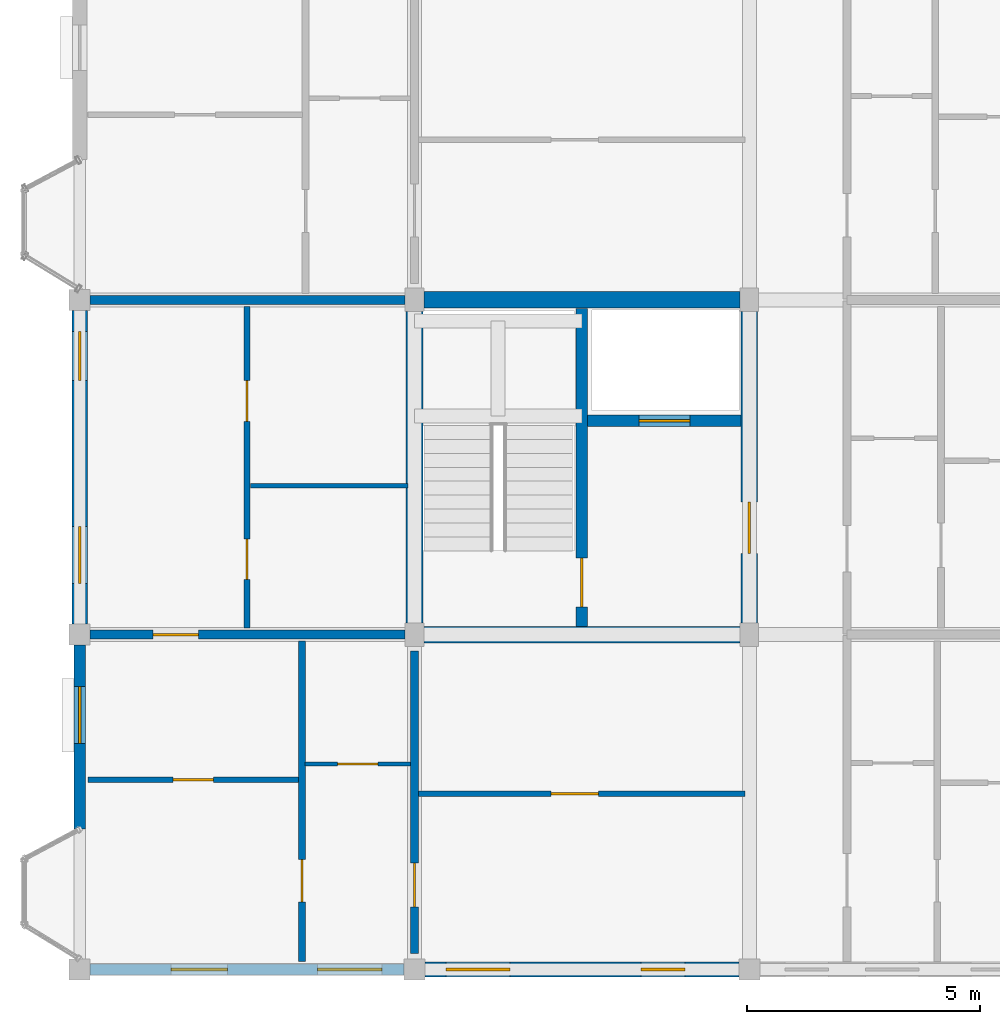
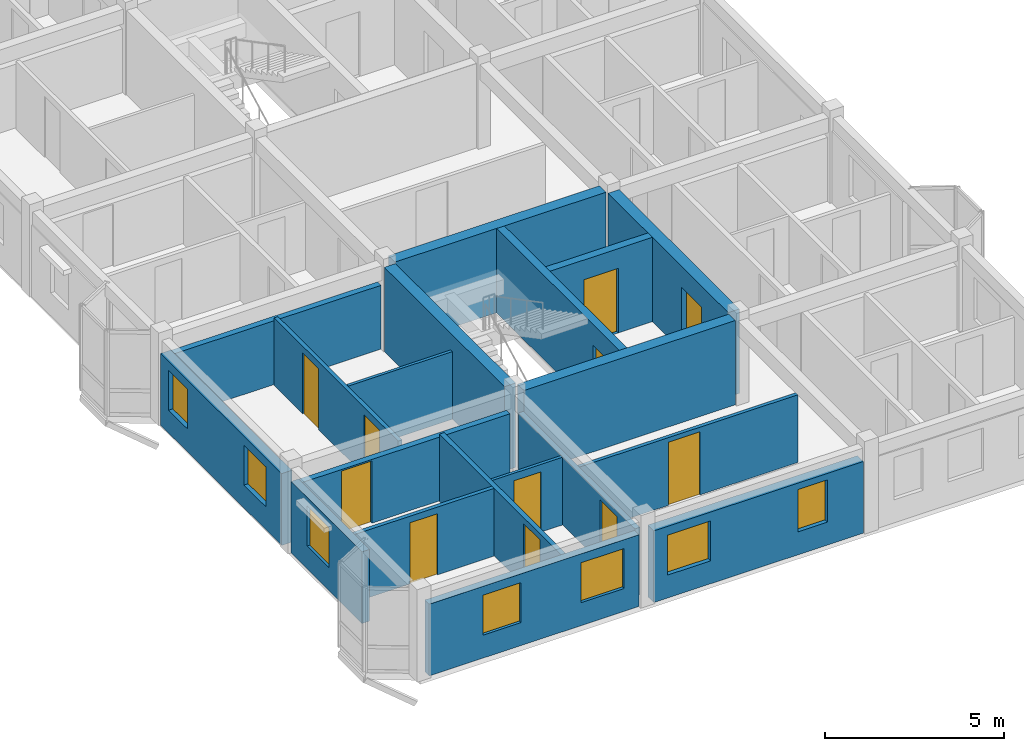
# One storey, part 12 of 23: 19 walls, 11 doors, 7 windows, 18 openings.
"""IFC4 building model written with IfcOpenShell, lengths in metres."""

from ifc_helpers import new_model, si_unit, direction, frame, frame_2d, origin, place, context, subcontext, project, spatial, rectangle, extrude, material, layer, layer_set, type_object, element, fill, save


model = new_model("IFC4")

# Units and contexts
model_context = context("Model", 3, precision=1e-05, world=origin(), true_north=direction((0.0, 1.0)))
body_context = subcontext(model_context, "Body", "Model", "MODEL_VIEW")
ifc_project = project(units=[si_unit("LENGTHUNIT", "METRE"), si_unit("AREAUNIT", "SQUARE_METRE"), si_unit("VOLUMEUNIT", "CUBIC_METRE"), si_unit("PLANEANGLEUNIT", "RADIAN"), si_unit("MASSUNIT", "GRAM", prefix="KILO"), si_unit("THERMODYNAMICTEMPERATUREUNIT", "KELVIN"), si_unit("POWERUNIT", "WATT")], contexts=[model_context])

# Site, building, storey
site_placement = place(None, origin())
site = spatial("IfcSite", under=ifc_project, at=site_placement, CompositionType="ELEMENT")
building_placement = place(site_placement, origin())
building = spatial("IfcBuilding", under=site, at=building_placement, Name="Tavuni Mirador Residences", CompositionType="ELEMENT")
storey_placement = place(building_placement, frame((0.0, 0.0, 42.300048828125)))
storey = spatial("IfcBuildingStorey", under=building, at=storey_placement, Name="L13", CompositionType="ELEMENT", Elevation=42.300048828125)

# Wall, opening, door
ifc_material_1 = material(Name="Precast concrete C40/50", Category="concrete")
ifc_layer_1 = layer(ifc_material_1, 0.25, Name="Precast concrete C40/50", Category="concrete")
ifc_layer_set_1 = layer_set([ifc_layer_1], Name="Precast concrete C40/50")
wall_type_1 = type_object("IfcWallType", Name="WT-COR250", PredefinedType="SHEAR", material=ifc_layer_set_1)
wall_1_placement = place(storey_placement, frame((14.39990234375, 14.580078125, 0.0), z_axis=(0.0, 0.0, 1.0), x_axis=(0.0, 1.0, 0.0)))
wall_1 = element("IfcWall", 1, at=wall_1_placement, inside=storey, type_object=wall_type_1, Name="CWALL-C1-L13-MID", PredefinedType="SHEAR", context=body_context, shape_type="SweptSolid", body=[
    extrude(rectangle(XDim=6.83984375, YDim=0.25, at=frame_2d((3.419921875, 0.0))), origin(), (0.0, 0.0, 1.0), 2.869873046875),
])
opening_1_placement = place(wall_1_placement, frame((0.419921875, 0.0, 0.0)))
opening_1 = element("IfcOpeningElement", 2, at=opening_1_placement, cuts=wall_1, Name="Opening D-01", PredefinedType="OPENING", context=body_context, shape_type="SweptSolid", body=[
    extrude(rectangle(XDim=1.050048828125, YDim=2.14990234375, at=frame_2d((0.52490234375, 1.074951171875))), frame((0.0, 0.135009765625, 0.0), z_axis=(0.0, -1.0, 0.0), x_axis=(1.0, 0.0, 0.0)), (0.0, 0.0, 1.0), 0.27001953125),
])
ifc_material_2 = material(Name="Solid core iroko timber", Category="wood")
door_type_1 = type_object("IfcDoorType", Name="DT-ST1050", OperationType="NOTDEFINED", PredefinedType="DOOR", material=ifc_material_2)
door_1_placement = place(opening_1_placement, origin())
door_1 = element("IfcDoor", 3, at=door_1_placement, inside=storey, type_object=door_type_1, Name="DR-2046", OperationType="SINGLE_SWING_RIGHT", OverallHeight=2.14990234375, OverallWidth=1.050048828125, PredefinedType="DOOR", context=body_context, shape_type="SweptSolid", body=[
    extrude(rectangle(XDim=1.050048828125, YDim=2.14990234375, at=frame_2d((0.52490234375, 1.074951171875))), frame((0.0, 0.02490234375, 0.0), z_axis=(0.0, -1.0, 0.0), x_axis=(1.0, 0.0, 0.0)), (0.0, 0.0, 1.0), 0.050048828125),
])
fill(opening_1, door_1)

wall_2_placement = place(storey_placement, frame((14.52490234375, 19.0, 0.0), z_axis=(0.0, 0.0, 1.0), x_axis=(1.0, 0.0, 0.0)))
wall_2 = element("IfcWall", 4, at=wall_2_placement, inside=storey, type_object=wall_type_1, Name="CWALL-C1-L13-SHF", PredefinedType="SHEAR", context=body_context, shape_type="SweptSolid", body=[
    extrude(rectangle(XDim=3.295166015625, YDim=0.25, at=frame_2d((1.6474609375, 0.0))), origin(), (0.0, 0.0, 1.0), 2.869873046875),
])
opening_2_placement = place(wall_2_placement, frame((1.10009765625, 0.0, 0.0)))
opening_2 = element("IfcOpeningElement", 5, at=opening_2_placement, cuts=wall_2, Name="Opening LD-01", PredefinedType="OPENING", context=body_context, shape_type="SweptSolid", body=[
    extrude(rectangle(XDim=1.10009765625, YDim=2.199951171875, at=frame_2d((0.550048828125, 1.10009765625))), frame((0.0, 0.135009765625, 0.0), z_axis=(0.0, -1.0, 0.0), x_axis=(1.0, 0.0, 0.0)), (0.0, 0.0, 1.0), 0.27001953125),
])
ifc_material_3 = material(Name="Structural steel S355", Category="steel")
door_type_2 = type_object("IfcDoorType", Name="DT-LD-FF", OperationType="SLIDING_TO_LEFT", PredefinedType="DOOR", material=ifc_material_3)
door_2_placement = place(opening_2_placement, origin())
door_2 = element("IfcDoor", 6, at=door_2_placement, inside=storey, type_object=door_type_2, Name="Lift landing door FL-A1 L13", OperationType="SLIDING_TO_LEFT", OverallHeight=2.199951171875, OverallWidth=1.10009765625, PredefinedType="DOOR", context=body_context, shape_type="SweptSolid", body=[
    extrude(rectangle(XDim=1.10009765625, YDim=2.199951171875, at=frame_2d((0.550048828125, 1.10009765625))), frame((0.0, 0.02490234375, 0.0), z_axis=(0.0, -1.0, 0.0), x_axis=(1.0, 0.0, 0.0)), (0.0, 0.0, 1.0), 0.050048828125),
])
fill(opening_2, door_2)

# Walls
ifc_layer_2 = layer(ifc_material_1, 0.360107421875, Name="Precast concrete C40/50", Category="concrete")
ifc_layer_set_2 = layer_set([ifc_layer_2], Name="Precast concrete C40/50")
wall_type_2 = type_object("IfcWallType", Name="WT-COR360", PredefinedType="SHEAR", material=ifc_layer_set_2)
wall_3_placement = place(storey_placement, frame((10.800048828125, 14.64990234375, 0.0), z_axis=(0.0, 0.0, 1.0), x_axis=(0.0, 1.0, 0.0)))
element("IfcWall", 7, at=wall_3_placement, inside=storey, type_object=wall_type_2, Name="CWALL-C1-L13-W", PredefinedType="SHEAR", context=body_context, shape_type="SweptSolid", body=[
    extrude(rectangle(XDim=6.7001953125, YDim=0.360107421875, at=frame_2d((3.35009765625, 0.0))), origin(), (0.0, 0.0, 1.0), 2.869873046875),
])
wall_4_placement = place(storey_placement, frame((11.0, 21.60009765625, 0.0), z_axis=(0.0, 0.0, 1.0), x_axis=(1.0, 0.0, 0.0)))
element("IfcWall", 8, at=wall_4_placement, inside=storey, type_object=wall_type_2, Name="CWALL-C1-L13-N", PredefinedType="SHEAR", context=body_context, shape_type="SweptSolid", body=[
    extrude(rectangle(XDim=6.800048828125, YDim=0.360107421875, at=frame_2d((3.39990234375, 0.0))), origin(), (0.0, 0.0, 1.0), 2.869873046875),
])

# Wall, opening, door
wall_5_placement = place(storey_placement, frame((18.0, 14.64990234375, 0.0), z_axis=(0.0, 0.0, 1.0), x_axis=(0.0, 1.0, 0.0)))
wall_5 = element("IfcWall", 9, at=wall_5_placement, inside=storey, type_object=wall_type_2, Name="CWALL-C1-L13-E", PredefinedType="SHEAR", context=body_context, shape_type="SweptSolid", body=[
    extrude(rectangle(XDim=6.7001953125, YDim=0.360107421875, at=frame_2d((3.35009765625, 0.0))), origin(), (0.0, 0.0, 1.0), 2.869873046875),
])
opening_3_placement = place(wall_5_placement, frame((1.5, 0.0, 0.0)))
opening_3 = element("IfcOpeningElement", 10, at=opening_3_placement, cuts=wall_5, Name="Opening D-02", PredefinedType="OPENING", context=body_context, shape_type="SweptSolid", body=[
    extrude(rectangle(XDim=1.10009765625, YDim=2.14990234375, at=frame_2d((0.550048828125, 1.074951171875))), frame((0.0, 0.18994140625, 0.0), z_axis=(0.0, -1.0, 0.0), x_axis=(1.0, 0.0, 0.0)), (0.0, 0.0, 1.0), 0.380126953125),
])
door_type_3 = type_object("IfcDoorType", Name="DT-LOB1100", OperationType="NOTDEFINED", PredefinedType="DOOR", material=ifc_material_2)
door_3_placement = place(opening_3_placement, frame((1.10009765625, 0.0, 0.0), z_axis=(0.0, 0.0, 1.0), x_axis=(-1.0, 0.0, 0.0)))
door_3 = element("IfcDoor", 11, at=door_3_placement, inside=storey, type_object=door_type_3, Name="DR-2045", OperationType="SINGLE_SWING_RIGHT", OverallHeight=2.14990234375, OverallWidth=1.10009765625, PredefinedType="DOOR", context=body_context, shape_type="SweptSolid", body=[
    extrude(rectangle(XDim=1.10009765625, YDim=2.14990234375, at=frame_2d((0.550048828125, 1.074951171875))), frame((0.0, 0.02490234375, 0.0), z_axis=(0.0, -1.0, 0.0), x_axis=(1.0, 0.0, 0.0)), (0.0, 0.0, 1.0), 0.050048828125),
])
fill(opening_3, door_3)

# Wall
wall_6_placement = place(storey_placement, frame((11.0, 14.39990234375, 0.0), z_axis=(0.0, 0.0, 1.0), x_axis=(1.0, 0.0, 0.0)))
element("IfcWall", 12, at=wall_6_placement, inside=storey, type_object=wall_type_2, Name="CWALL-C1-L13-SS", PredefinedType="SHEAR", context=body_context, shape_type="SweptSolid", body=[
    extrude(rectangle(XDim=6.800048828125, YDim=0.360107421875, at=frame_2d((3.39990234375, 0.0))), origin(), (0.0, 0.0, 1.0), 2.869873046875),
])

# Wall, opening, door
ifc_layer_3 = layer(ifc_material_1, 0.1650390625, Name="Precast concrete C40/50", Category="concrete")
ifc_layer_set_3 = layer_set([ifc_layer_3], Name="Precast concrete C40/50")
wall_type_3 = type_object("IfcWallType", Name="WT-CORR165", PredefinedType="PARTITIONING", material=ifc_layer_set_3)
wall_7_placement = place(storey_placement, frame((10.800048828125, 7.550048828125, 0.0), z_axis=(0.0, 0.0, 1.0), x_axis=(0.0, 1.0, 0.0)))
wall_7 = element("IfcWall", 13, at=wall_7_placement, inside=storey, type_object=wall_type_3, Name="CORW-BLK-A-L13-1-00", PredefinedType="PARTITIONING", context=body_context, shape_type="SweptSolid", body=[
    extrude(rectangle(XDim=6.5, YDim=0.1650390625, at=frame_2d((3.25, 0.0))), origin(), (0.0, 0.0, 1.0), 2.304931640625),
])
opening_4_placement = place(wall_7_placement, frame((1.0, 0.0, 0.0)))
opening_4 = element("IfcOpeningElement", 14, at=opening_4_placement, cuts=wall_7, Name="Opening D-19", PredefinedType="OPENING", context=body_context, shape_type="SweptSolid", body=[
    extrude(rectangle(XDim=0.93994140625, YDim=2.1201171875, at=frame_2d((0.469970703125, 1.06005859375))), frame((0.0, 0.092529296875, 0.0), z_axis=(0.0, -1.0, 0.0), x_axis=(1.0, 0.0, 0.0)), (0.0, 0.0, 1.0), 0.18505859375),
])
door_type_4 = type_object("IfcDoorType", Name="DT-FD60-940", OperationType="NOTDEFINED", PredefinedType="DOOR", material=ifc_material_2)
door_4_placement = place(opening_4_placement, origin())
door_4 = element("IfcDoor", 15, at=door_4_placement, inside=storey, type_object=door_type_4, Name="DR-2506", OperationType="SINGLE_SWING_LEFT", OverallHeight=2.1201171875, OverallWidth=0.93994140625, PredefinedType="DOOR", context=body_context, shape_type="SweptSolid", body=[
    extrude(rectangle(XDim=0.93994140625, YDim=2.1201171875, at=frame_2d((0.469970703125, 1.06005859375))), frame((0.0, 0.02490234375, 0.0), z_axis=(0.0, -1.0, 0.0), x_axis=(1.0, 0.0, 0.0)), (0.0, 0.0, 1.0), 0.050048828125),
])
fill(opening_4, door_4)

# Wall, openings, windows
ifc_layer_4 = layer(ifc_material_1, 0.330078125, Name="Precast concrete C40/50", Category="concrete")
ifc_layer_set_4 = layer_set([ifc_layer_4], Name="Precast concrete C40/50")
wall_type_4 = type_object("IfcWallType", Name="WT-EXT-COR330", PredefinedType="SOLIDWALL", material=ifc_layer_set_4)
wall_8_placement = place(storey_placement, frame((11.02490234375, 7.199951171875, 0.0), z_axis=(0.0, 0.0, 1.0), x_axis=(1.0, 0.0, 0.0)))
wall_8 = element("IfcWall", 16, at=wall_8_placement, inside=storey, type_object=wall_type_4, Name="EW-BLK-A-L13-S01", PredefinedType="SOLIDWALL", context=body_context, shape_type="SweptSolid", body=[
    extrude(rectangle(XDim=6.75, YDim=0.330078125, at=frame_2d((3.375, 0.0))), origin(), (0.0, 0.0, 1.0), 2.43994140625),
])
opening_5_placement = place(wall_8_placement, frame((0.449951171875, 0.0, 0.780029296875)))
opening_5 = element("IfcOpeningElement", 17, at=opening_5_placement, cuts=wall_8, Name="Opening WN-23", PredefinedType="OPENING", context=body_context, shape_type="SweptSolid", body=[
    extrude(rectangle(XDim=1.3798828125, YDim=1.360107421875, at=frame_2d((0.68994140625, 0.68017578125))), frame((0.0, 0.175048828125, 0.0), z_axis=(0.0, -1.0, 0.0), x_axis=(1.0, 0.0, 0.0)), (0.0, 0.0, 1.0), 0.35009765625),
])
opening_6_placement = place(wall_8_placement, frame((4.64990234375, 0.0, 0.780029296875)))
opening_6 = element("IfcOpeningElement", 18, at=opening_6_placement, cuts=wall_8, Name="Opening WN-25", PredefinedType="OPENING", context=body_context, shape_type="SweptSolid", body=[
    extrude(rectangle(XDim=0.93994140625, YDim=1.43994140625, at=frame_2d((0.469970703125, 0.719970703125))), frame((0.0, 0.175048828125, 0.0), z_axis=(0.0, -1.0, 0.0), x_axis=(1.0, 0.0, 0.0)), (0.0, 0.0, 1.0), 0.35009765625),
])
ifc_material_4 = material(Name="Laminated solar-control glass", Category="glass")
window_type_1 = type_object("IfcWindowType", Name="WNT-23", PartitioningType="SINGLE_PANEL", PredefinedType="WINDOW", material=ifc_material_4)
window_1_placement = place(opening_5_placement, origin())
window_1 = element("IfcWindow", 19, at=window_1_placement, inside=storey, type_object=window_type_1, Name="WIN-0459", OverallHeight=1.360107421875, OverallWidth=1.3798828125, PartitioningType="SINGLE_PANEL", PredefinedType="WINDOW", context=body_context, shape_type="SweptSolid", body=[
    extrude(rectangle(XDim=1.3798828125, YDim=1.360107421875, at=frame_2d((0.68994140625, 0.68017578125))), frame((0.0, 0.030029296875, 0.0), z_axis=(0.0, -1.0, 0.0), x_axis=(1.0, 0.0, 0.0)), (0.0, 0.0, 1.0), 0.06005859375),
])
fill(opening_5, window_1)
window_type_2 = type_object("IfcWindowType", Name="WNT-25", PartitioningType="SINGLE_PANEL", PredefinedType="WINDOW", material=ifc_material_4)
window_2_placement = place(opening_6_placement, origin())
window_2 = element("IfcWindow", 20, at=window_2_placement, inside=storey, type_object=window_type_2, Name="WIN-0460", OverallHeight=1.43994140625, OverallWidth=0.93994140625, PartitioningType="SINGLE_PANEL", PredefinedType="WINDOW", context=body_context, shape_type="SweptSolid", body=[
    extrude(rectangle(XDim=0.93994140625, YDim=1.43994140625, at=frame_2d((0.469970703125, 0.719970703125))), frame((0.0, 0.030029296875, 0.0), z_axis=(0.0, -1.0, 0.0), x_axis=(1.0, 0.0, 0.0)), (0.0, 0.0, 1.0), 0.06005859375),
])
fill(opening_6, window_2)

wall_9_placement = place(storey_placement, frame((3.60009765625, 21.375, 0.0), z_axis=(0.0, 0.0, 1.0), x_axis=(0.0, -1.0, 0.0)))
wall_9 = element("IfcWall", 21, at=wall_9_placement, inside=storey, type_object=wall_type_4, Name="EW-BLK-A-L13-W01", PredefinedType="SOLIDWALL", context=body_context, shape_type="SweptSolid", body=[
    extrude(rectangle(XDim=6.75, YDim=0.330078125, at=frame_2d((3.375, 0.0))), origin(), (0.0, 0.0, 1.0), 2.43994140625),
])
opening_7_placement = place(wall_9_placement, frame((0.449951171875, 0.0, 0.780029296875)))
opening_7 = element("IfcOpeningElement", 22, at=opening_7_placement, cuts=wall_9, Name="Opening WN-19", PredefinedType="OPENING", context=body_context, shape_type="SweptSolid", body=[
    extrude(rectangle(XDim=1.06005859375, YDim=1.360107421875, at=frame_2d((0.530029296875, 0.68017578125))), frame((0.0, 0.175048828125, 0.0), z_axis=(0.0, -1.0, 0.0), x_axis=(1.0, 0.0, 0.0)), (0.0, 0.0, 1.0), 0.35009765625),
])
opening_8_placement = place(wall_9_placement, frame((4.64990234375, 0.0, 0.780029296875)))
opening_8 = element("IfcOpeningElement", 23, at=opening_8_placement, cuts=wall_9, Name="Opening WN-21", PredefinedType="OPENING", context=body_context, shape_type="SweptSolid", body=[
    extrude(rectangle(XDim=1.219970703125, YDim=1.360107421875, at=frame_2d((0.60986328125, 0.68017578125))), frame((0.0, 0.175048828125, 0.0), z_axis=(0.0, -1.0, 0.0), x_axis=(1.0, 0.0, 0.0)), (0.0, 0.0, 1.0), 0.35009765625),
])
window_type_3 = type_object("IfcWindowType", Name="WNT-19", PartitioningType="SINGLE_PANEL", PredefinedType="WINDOW", material=ifc_material_4)
window_3_placement = place(opening_7_placement, origin())
window_3 = element("IfcWindow", 24, at=window_3_placement, inside=storey, type_object=window_type_3, Name="WIN-0485", OverallHeight=1.360107421875, OverallWidth=1.06005859375, PartitioningType="SINGLE_PANEL", PredefinedType="WINDOW", context=body_context, shape_type="SweptSolid", body=[
    extrude(rectangle(XDim=1.06005859375, YDim=1.360107421875, at=frame_2d((0.530029296875, 0.68017578125))), frame((0.0, 0.030029296875, 0.0), z_axis=(0.0, -1.0, 0.0), x_axis=(1.0, 0.0, 0.0)), (0.0, 0.0, 1.0), 0.06005859375),
])
fill(opening_7, window_3)
window_type_4 = type_object("IfcWindowType", Name="WNT-21", PartitioningType="SINGLE_PANEL", PredefinedType="WINDOW", material=ifc_material_4)
window_4_placement = place(opening_8_placement, origin())
window_4 = element("IfcWindow", 25, at=window_4_placement, inside=storey, type_object=window_type_4, Name="WIN-0486", OverallHeight=1.360107421875, OverallWidth=1.219970703125, PartitioningType="SINGLE_PANEL", PredefinedType="WINDOW", context=body_context, shape_type="SweptSolid", body=[
    extrude(rectangle(XDim=1.219970703125, YDim=1.360107421875, at=frame_2d((0.60986328125, 0.68017578125))), frame((0.0, 0.030029296875, 0.0), z_axis=(0.0, -1.0, 0.0), x_axis=(1.0, 0.0, 0.0)), (0.0, 0.0, 1.0), 0.06005859375),
])
fill(opening_8, window_4)

ifc_material_5 = material(Name="Sgraffito lime-rendered precast concrete C40/50", Category="concrete")
ifc_layer_5 = layer(ifc_material_5, 0.2451171875, Name="Sgraffito lime-rendered precast concrete C40/50", Category="concrete")
ifc_layer_set_5 = layer_set([ifc_layer_5], Name="Sgraffito lime-rendered precast concrete C40/50")
wall_type_5 = type_object("IfcWallType", Name="WT-EXT-PC245", PredefinedType="SOLIDWALL", material=ifc_layer_set_5)
wall_10_placement = place(storey_placement, frame((3.824951171875, 7.199951171875, 0.0), z_axis=(0.0, 0.0, 1.0), x_axis=(1.0, 0.0, 0.0)))
wall_10 = element("IfcWall", 26, at=wall_10_placement, inside=storey, type_object=wall_type_5, Name="EW-BLK-A-L13-S00", PredefinedType="SOLIDWALL", context=body_context, shape_type="SweptSolid", body=[
    extrude(rectangle(XDim=6.75, YDim=0.2451171875, at=frame_2d((3.375, 0.0))), origin(), (0.0, 0.0, 1.0), 2.43994140625),
])
opening_9_placement = place(wall_10_placement, frame((1.737548828125, 0.0, 0.780029296875)))
opening_9 = element("IfcOpeningElement", 27, at=opening_9_placement, cuts=wall_10, Name="Opening WN-21", PredefinedType="OPENING", context=body_context, shape_type="SweptSolid", body=[
    extrude(rectangle(XDim=1.219970703125, YDim=1.360107421875, at=frame_2d((0.60986328125, 0.68017578125))), frame((0.0, 0.132568359375, 0.0), z_axis=(0.0, -1.0, 0.0), x_axis=(1.0, 0.0, 0.0)), (0.0, 0.0, 1.0), 0.26513671875),
])
opening_10_placement = place(wall_10_placement, frame((4.892578125, 0.0, 0.780029296875)))
opening_10 = element("IfcOpeningElement", 28, at=opening_10_placement, cuts=wall_10, Name="Opening WN-23", PredefinedType="OPENING", context=body_context, shape_type="SweptSolid", body=[
    extrude(rectangle(XDim=1.3798828125, YDim=1.360107421875, at=frame_2d((0.68994140625, 0.68017578125))), frame((0.0, 0.132568359375, 0.0), z_axis=(0.0, -1.0, 0.0), x_axis=(1.0, 0.0, 0.0)), (0.0, 0.0, 1.0), 0.26513671875),
])
window_5_placement = place(opening_9_placement, origin())
window_5 = element("IfcWindow", 29, at=window_5_placement, inside=storey, type_object=window_type_4, Name="WIN-0457", OverallHeight=1.360107421875, OverallWidth=1.219970703125, PartitioningType="SINGLE_PANEL", PredefinedType="WINDOW", context=body_context, shape_type="SweptSolid", body=[
    extrude(rectangle(XDim=1.219970703125, YDim=1.360107421875, at=frame_2d((0.60986328125, 0.68017578125))), frame((0.0, 0.030029296875, 0.0), z_axis=(0.0, -1.0, 0.0), x_axis=(1.0, 0.0, 0.0)), (0.0, 0.0, 1.0), 0.06005859375),
])
fill(opening_9, window_5)
window_6_placement = place(opening_10_placement, origin())
window_6 = element("IfcWindow", 30, at=window_6_placement, inside=storey, type_object=window_type_1, Name="WIN-0458", OverallHeight=1.360107421875, OverallWidth=1.3798828125, PartitioningType="SINGLE_PANEL", PredefinedType="WINDOW", context=body_context, shape_type="SweptSolid", body=[
    extrude(rectangle(XDim=1.3798828125, YDim=1.360107421875, at=frame_2d((0.68994140625, 0.68017578125))), frame((0.0, 0.030029296875, 0.0), z_axis=(0.0, -1.0, 0.0), x_axis=(1.0, 0.0, 0.0)), (0.0, 0.0, 1.0), 0.06005859375),
])
fill(opening_10, window_6)

# Wall, opening, window
wall_11_placement = place(storey_placement, frame((3.60009765625, 14.175048828125, 0.0), z_axis=(0.0, 0.0, 1.0), x_axis=(0.0, -1.0, 0.0)))
wall_11 = element("IfcWall", 31, at=wall_11_placement, inside=storey, type_object=wall_type_5, Name="EW-BLK-A-L13-W00", PredefinedType="SOLIDWALL", context=body_context, shape_type="SweptSolid", body=[
    extrude(rectangle(XDim=3.955078125, YDim=0.2451171875, at=frame_2d((1.9775390625, 0.0))), origin(), (0.0, 0.0, 1.0), 2.43994140625),
])
opening_11_placement = place(wall_11_placement, frame((0.892578125, 0.0, 0.780029296875)))
opening_11 = element("IfcOpeningElement", 32, at=opening_11_placement, cuts=wall_11, Name="Opening WN-21", PredefinedType="OPENING", context=body_context, shape_type="SweptSolid", body=[
    extrude(rectangle(XDim=1.219970703125, YDim=1.360107421875, at=frame_2d((0.60986328125, 0.68017578125))), frame((0.0, 0.132568359375, 0.0), z_axis=(0.0, -1.0, 0.0), x_axis=(1.0, 0.0, 0.0)), (0.0, 0.0, 1.0), 0.26513671875),
])
window_7_placement = place(opening_11_placement, origin())
window_7 = element("IfcWindow", 33, at=window_7_placement, inside=storey, type_object=window_type_4, Name="WIN-0487", OverallHeight=1.360107421875, OverallWidth=1.219970703125, PartitioningType="SINGLE_PANEL", PredefinedType="WINDOW", context=body_context, shape_type="SweptSolid", body=[
    extrude(rectangle(XDim=1.219970703125, YDim=1.360107421875, at=frame_2d((0.60986328125, 0.68017578125))), frame((0.0, 0.030029296875, 0.0), z_axis=(0.0, -1.0, 0.0), x_axis=(1.0, 0.0, 0.0)), (0.0, 0.0, 1.0), 0.06005859375),
])
fill(opening_11, window_7)

# Wall, opening, door
ifc_material_6 = material(Name="Acoustic gypsum and concrete block partition", Category="concrete")
ifc_layer_6 = layer(ifc_material_6, 0.094970703125, Name="Acoustic gypsum and concrete block partition", Category="concrete")
ifc_layer_set_6 = layer_set([ifc_layer_6], Name="Acoustic gypsum and concrete block partition")
wall_type_6 = type_object("IfcWallType", Name="WT-PART095", PredefinedType="PARTITIONING", material=ifc_layer_set_6)
wall_12_placement = place(storey_placement, frame((8.449951171875, 11.6201171875, 0.0), z_axis=(0.0, 0.0, 1.0), x_axis=(1.0, 0.0, 0.0)))
wall_12 = element("IfcWall", 34, at=wall_12_placement, inside=storey, type_object=wall_type_6, Name="PW-BLK-A-L13-W00-IN1", PredefinedType="PARTITIONING", context=body_context, shape_type="SweptSolid", body=[
    extrude(rectangle(XDim=2.260009765625, YDim=0.094970703125, at=frame_2d((1.1298828125, 0.0))), origin(), (0.0, 0.0, 1.0), 2.304931640625),
])
opening_12_placement = place(wall_12_placement, frame((0.695068359375, 0.0, 0.0)))
opening_12 = element("IfcOpeningElement", 35, at=opening_12_placement, cuts=wall_12, Name="Opening D-10", PredefinedType="OPENING", context=body_context, shape_type="SweptSolid", body=[
    extrude(rectangle(XDim=0.8701171875, YDim=2.050048828125, at=frame_2d((0.43505859375, 1.02490234375))), frame((0.0, 0.0576171875, 0.0), z_axis=(0.0, -1.0, 0.0), x_axis=(1.0, 0.0, 0.0)), (0.0, 0.0, 1.0), 0.114990234375),
])
door_type_5 = type_object("IfcDoorType", Name="DT-WC870", OperationType="NOTDEFINED", PredefinedType="DOOR", material=ifc_material_2)
door_5_placement = place(opening_12_placement, origin())
door_5 = element("IfcDoor", 36, at=door_5_placement, inside=storey, type_object=door_type_5, Name="DR-3349", OperationType="SINGLE_SWING_LEFT", OverallHeight=2.050048828125, OverallWidth=0.8701171875, PredefinedType="DOOR", context=body_context, shape_type="SweptSolid", body=[
    extrude(rectangle(XDim=0.8701171875, YDim=2.050048828125, at=frame_2d((0.43505859375, 1.02490234375))), frame((0.0, 0.02490234375, 0.0), z_axis=(0.0, -1.0, 0.0), x_axis=(1.0, 0.0, 0.0)), (0.0, 0.0, 1.0), 0.050048828125),
])
fill(opening_12, door_5)

# Wall
wall_13_placement = place(storey_placement, frame((7.27001953125, 17.60009765625, 0.0), z_axis=(0.0, 0.0, 1.0), x_axis=(1.0, 0.0, 0.0)))
element("IfcWall", 37, at=wall_13_placement, inside=storey, type_object=wall_type_6, Name="PW-BLK-A-L13-WC01-H", PredefinedType="PARTITIONING", context=body_context, shape_type="SweptSolid", body=[
    extrude(rectangle(XDim=3.389892578125, YDim=0.094970703125, at=frame_2d((1.69482421875, 0.0))), origin(), (0.0, 0.0, 1.0), 2.304931640625),
])

# Wall, opening, door
ifc_layer_7 = layer(ifc_material_6, 0.114990234375, Name="Acoustic gypsum and concrete block partition", Category="concrete")
ifc_layer_set_7 = layer_set([ifc_layer_7], Name="Acoustic gypsum and concrete block partition")
wall_type_7 = type_object("IfcWallType", Name="WT-PART115", PredefinedType="PARTITIONING", material=ifc_layer_set_7)
wall_14_placement = place(storey_placement, frame((10.889892578125, 10.97998046875, 0.0), z_axis=(0.0, 0.0, 1.0), x_axis=(1.0, 0.0, 0.0)))
wall_14 = element("IfcWall", 38, at=wall_14_placement, inside=storey, type_object=wall_type_7, Name="PW-SPN-BLK-A-L13-00", PredefinedType="PARTITIONING", context=body_context, shape_type="SweptSolid", body=[
    extrude(rectangle(XDim=7.02001953125, YDim=0.114990234375, at=frame_2d((3.510009765625, 0.0))), origin(), (0.0, 0.0, 1.0), 2.304931640625),
])
opening_13_placement = place(wall_14_placement, frame((2.85009765625, 0.0, 0.0)))
opening_13 = element("IfcOpeningElement", 39, at=opening_13_placement, cuts=wall_14, Name="Opening D-13", PredefinedType="OPENING", context=body_context, shape_type="SweptSolid", body=[
    extrude(rectangle(XDim=1.02001953125, YDim=2.14990234375, at=frame_2d((0.510009765625, 1.074951171875))), frame((0.0, 0.0673828125, 0.0), z_axis=(0.0, -1.0, 0.0), x_axis=(1.0, 0.0, 0.0)), (0.0, 0.0, 1.0), 0.135009765625),
])
door_type_6 = type_object("IfcDoorType", Name="DT-MTG1020", OperationType="NOTDEFINED", PredefinedType="DOOR", material=ifc_material_2)
door_6_placement = place(opening_13_placement, origin())
door_6 = element("IfcDoor", 40, at=door_6_placement, inside=storey, type_object=door_type_6, Name="DR-3347", OperationType="SINGLE_SWING_LEFT", OverallHeight=2.14990234375, OverallWidth=1.02001953125, PredefinedType="DOOR", context=body_context, shape_type="SweptSolid", body=[
    extrude(rectangle(XDim=1.02001953125, YDim=2.14990234375, at=frame_2d((0.510009765625, 1.074951171875))), frame((0.0, 0.02490234375, 0.0), z_axis=(0.0, -1.0, 0.0), x_axis=(1.0, 0.0, 0.0)), (0.0, 0.0, 1.0), 0.050048828125),
])
fill(opening_13, door_6)

ifc_layer_8 = layer(ifc_material_6, 0.125, Name="Acoustic gypsum and concrete block partition", Category="concrete")
ifc_layer_set_8 = layer_set([ifc_layer_8], Name="Acoustic gypsum and concrete block partition")
wall_type_8 = type_object("IfcWallType", Name="WT-PART125", PredefinedType="PARTITIONING", material=ifc_layer_set_8)
wall_15_placement = place(storey_placement, frame((3.77490234375, 11.280029296875, 0.0), z_axis=(0.0, 0.0, 1.0), x_axis=(1.0, 0.0, 0.0)))
wall_15 = element("IfcWall", 41, at=wall_15_placement, inside=storey, type_object=wall_type_8, Name="PW-BLK-A-L13-W00-OUT", PredefinedType="PARTITIONING", context=body_context, shape_type="SweptSolid", body=[
    extrude(rectangle(XDim=4.53515625, YDim=0.125, at=frame_2d((2.267578125, 0.0))), origin(), (0.0, 0.0, 1.0), 2.304931640625),
])
opening_14_placement = place(wall_15_placement, frame((1.827392578125, 0.0, 0.0)))
opening_14 = element("IfcOpeningElement", 42, at=opening_14_placement, cuts=wall_15, Name="Opening D-08", PredefinedType="OPENING", context=body_context, shape_type="SweptSolid", body=[
    extrude(rectangle(XDim=0.8798828125, YDim=2.080078125, at=frame_2d((0.43994140625, 1.0400390625))), frame((0.0, 0.072509765625, 0.0), z_axis=(0.0, -1.0, 0.0), x_axis=(1.0, 0.0, 0.0)), (0.0, 0.0, 1.0), 0.14501953125),
])
door_type_7 = type_object("IfcDoorType", Name="DT-BED880", OperationType="NOTDEFINED", PredefinedType="DOOR", material=ifc_material_2)
door_7_placement = place(opening_14_placement, origin())
door_7 = element("IfcDoor", 43, at=door_7_placement, inside=storey, type_object=door_type_7, Name="DR-3348", OperationType="SINGLE_SWING_RIGHT", OverallHeight=2.080078125, OverallWidth=0.8798828125, PredefinedType="DOOR", context=body_context, shape_type="SweptSolid", body=[
    extrude(rectangle(XDim=0.8798828125, YDim=2.080078125, at=frame_2d((0.43994140625, 1.0400390625))), frame((0.0, 0.02490234375, 0.0), z_axis=(0.0, -1.0, 0.0), x_axis=(1.0, 0.0, 0.0)), (0.0, 0.0, 1.0), 0.050048828125),
])
fill(opening_14, door_7)

# Wall, openings, doors
wall_16_placement = place(storey_placement, frame((7.199951171875, 14.5400390625, 0.0), z_axis=(0.0, 0.0, 1.0), x_axis=(0.0, 1.0, 0.0)))
wall_16 = element("IfcWall", 44, at=wall_16_placement, inside=storey, type_object=wall_type_8, Name="PW-BLK-A-L13-WC01-M", PredefinedType="PARTITIONING", context=body_context, shape_type="SweptSolid", body=[
    extrude(rectangle(XDim=6.919921875, YDim=0.125, at=frame_2d((3.4599609375, 0.0))), origin(), (0.0, 0.0, 1.0), 2.304931640625),
])
opening_15_placement = place(wall_16_placement, frame((1.050048828125, 0.0, 0.0)))
opening_15 = element("IfcOpeningElement", 45, at=opening_15_placement, cuts=wall_16, Name="Opening D-10", PredefinedType="OPENING", context=body_context, shape_type="SweptSolid", body=[
    extrude(rectangle(XDim=0.8701171875, YDim=2.050048828125, at=frame_2d((0.43505859375, 1.02490234375))), frame((0.0, 0.072509765625, 0.0), z_axis=(0.0, -1.0, 0.0), x_axis=(1.0, 0.0, 0.0)), (0.0, 0.0, 1.0), 0.14501953125),
])
opening_16_placement = place(wall_16_placement, frame((4.449951171875, 0.0, 0.0)))
opening_16 = element("IfcOpeningElement", 46, at=opening_16_placement, cuts=wall_16, Name="Opening D-08", PredefinedType="OPENING", context=body_context, shape_type="SweptSolid", body=[
    extrude(rectangle(XDim=0.8798828125, YDim=2.080078125, at=frame_2d((0.43994140625, 1.0400390625))), frame((0.0, 0.072509765625, 0.0), z_axis=(0.0, -1.0, 0.0), x_axis=(1.0, 0.0, 0.0)), (0.0, 0.0, 1.0), 0.14501953125),
])
door_8_placement = place(opening_16_placement, origin())
door_8 = element("IfcDoor", 47, at=door_8_placement, inside=storey, type_object=door_type_7, Name="DR-3355", OperationType="SINGLE_SWING_LEFT", OverallHeight=2.080078125, OverallWidth=0.8798828125, PredefinedType="DOOR", context=body_context, shape_type="SweptSolid", body=[
    extrude(rectangle(XDim=0.8798828125, YDim=2.080078125, at=frame_2d((0.43994140625, 1.0400390625))), frame((0.0, 0.02490234375, 0.0), z_axis=(0.0, -1.0, 0.0), x_axis=(1.0, 0.0, 0.0)), (0.0, 0.0, 1.0), 0.050048828125),
])
fill(opening_16, door_8)
door_9_placement = place(opening_15_placement, origin())
door_9 = element("IfcDoor", 48, at=door_9_placement, inside=storey, type_object=door_type_5, Name="DR-3354", OperationType="SINGLE_SWING_RIGHT", OverallHeight=2.050048828125, OverallWidth=0.8701171875, PredefinedType="DOOR", context=body_context, shape_type="SweptSolid", body=[
    extrude(rectangle(XDim=0.8701171875, YDim=2.050048828125, at=frame_2d((0.43505859375, 1.02490234375))), frame((0.0, 0.02490234375, 0.0), z_axis=(0.0, -1.0, 0.0), x_axis=(1.0, 0.0, 0.0)), (0.0, 0.0, 1.0), 0.050048828125),
])
fill(opening_15, door_9)

# Wall, opening, door
ifc_layer_9 = layer(ifc_material_6, 0.14990234375, Name="Acoustic gypsum and concrete block partition", Category="concrete")
ifc_layer_set_9 = layer_set([ifc_layer_9], Name="Acoustic gypsum and concrete block partition")
wall_type_9 = type_object("IfcWallType", Name="WT-PART150", PredefinedType="PARTITIONING", material=ifc_layer_set_9)
wall_17_placement = place(storey_placement, frame((8.3798828125, 7.375, 0.0), z_axis=(0.0, 0.0, 1.0), x_axis=(0.0, 1.0, 0.0)))
wall_17 = element("IfcWall", 49, at=wall_17_placement, inside=storey, type_object=wall_type_9, Name="PW-BLK-A-L13-W00-MID", PredefinedType="PARTITIONING", context=body_context, shape_type="SweptSolid", body=[
    extrude(rectangle(XDim=6.885009765625, YDim=0.14990234375, at=frame_2d((3.4423828125, 0.0))), origin(), (0.0, 0.0, 1.0), 2.304931640625),
])
opening_17_placement = place(wall_17_placement, frame((1.27490234375, 0.0, 0.0)))
opening_17 = element("IfcOpeningElement", 50, at=opening_17_placement, cuts=wall_17, Name="Opening D-06", PredefinedType="OPENING", context=body_context, shape_type="SweptSolid", body=[
    extrude(rectangle(XDim=0.919921875, YDim=2.10009765625, at=frame_2d((0.4599609375, 1.050048828125))), frame((0.0, 0.0849609375, 0.0), z_axis=(0.0, -1.0, 0.0), x_axis=(1.0, 0.0, 0.0)), (0.0, 0.0, 1.0), 0.169921875),
])
door_type_8 = type_object("IfcDoorType", Name="DT-INT920", OperationType="NOTDEFINED", PredefinedType="DOOR", material=ifc_material_2)
door_10_placement = place(opening_17_placement, origin())
door_10 = element("IfcDoor", 51, at=door_10_placement, inside=storey, type_object=door_type_8, Name="DR-3350", OperationType="SINGLE_SWING_RIGHT", OverallHeight=2.10009765625, OverallWidth=0.919921875, PredefinedType="DOOR", context=body_context, shape_type="SweptSolid", body=[
    extrude(rectangle(XDim=0.919921875, YDim=2.10009765625, at=frame_2d((0.4599609375, 1.050048828125))), frame((0.0, 0.02490234375, 0.0), z_axis=(0.0, -1.0, 0.0), x_axis=(1.0, 0.0, 0.0)), (0.0, 0.0, 1.0), 0.050048828125),
])
fill(opening_17, door_10)

ifc_layer_10 = layer(ifc_material_1, 0.195068359375, Name="Precast concrete C40/50", Category="concrete")
ifc_layer_set_10 = layer_set([ifc_layer_10], Name="Precast concrete C40/50")
wall_type_10 = type_object("IfcWallType", Name="WT-XW195", PredefinedType="SOLIDWALL", material=ifc_layer_set_10)
wall_18_placement = place(storey_placement, frame((3.824951171875, 14.39990234375, 0.0), z_axis=(0.0, 0.0, 1.0), x_axis=(1.0, 0.0, 0.0)))
wall_18 = element("IfcWall", 52, at=wall_18_placement, inside=storey, type_object=wall_type_10, Name="XW-BLK-A-L13-W-01", PredefinedType="SOLIDWALL", context=body_context, shape_type="SweptSolid", body=[
    extrude(rectangle(XDim=6.775146484375, YDim=0.195068359375, at=frame_2d((3.3876953125, 0.0))), origin(), (0.0, 0.0, 1.0), 2.169921875),
])
opening_18_placement = place(wall_18_placement, frame((1.35009765625, 0.0, 0.0)))
opening_18 = element("IfcOpeningElement", 53, at=opening_18_placement, cuts=wall_18, Name="Opening D-04", PredefinedType="OPENING", context=body_context, shape_type="SweptSolid", body=[
    extrude(rectangle(XDim=0.97998046875, YDim=2.1201171875, at=frame_2d((0.489990234375, 1.06005859375))), frame((0.0, 0.107421875, 0.0), z_axis=(0.0, -1.0, 0.0), x_axis=(1.0, 0.0, 0.0)), (0.0, 0.0, 1.0), 0.215087890625),
])
door_type_9 = type_object("IfcDoorType", Name="DT-FD60-980", OperationType="NOTDEFINED", PredefinedType="DOOR", material=ifc_material_2)
door_11_placement = place(opening_18_placement, origin())
door_11 = element("IfcDoor", 54, at=door_11_placement, inside=storey, type_object=door_type_9, Name="DR-4700", OperationType="SINGLE_SWING_LEFT", OverallHeight=2.1201171875, OverallWidth=0.97998046875, PredefinedType="DOOR", context=body_context, shape_type="SweptSolid", body=[
    extrude(rectangle(XDim=0.97998046875, YDim=2.1201171875, at=frame_2d((0.489990234375, 1.06005859375))), frame((0.0, 0.02490234375, 0.0), z_axis=(0.0, -1.0, 0.0), x_axis=(1.0, 0.0, 0.0)), (0.0, 0.0, 1.0), 0.050048828125),
])
fill(opening_18, door_11)

# Wall
wall_19_placement = place(storey_placement, frame((3.824951171875, 21.60009765625, 0.0), z_axis=(0.0, 0.0, 1.0), x_axis=(1.0, 0.0, 0.0)))
element("IfcWall", 55, at=wall_19_placement, inside=storey, type_object=wall_type_10, Name="XW-BLK-A-L13-W-02", PredefinedType="SOLIDWALL", context=body_context, shape_type="SweptSolid", body=[
    extrude(rectangle(XDim=6.775146484375, YDim=0.195068359375, at=frame_2d((3.3876953125, 0.0))), origin(), (0.0, 0.0, 1.0), 2.169921875),
])

save(model, "model.ifc")
